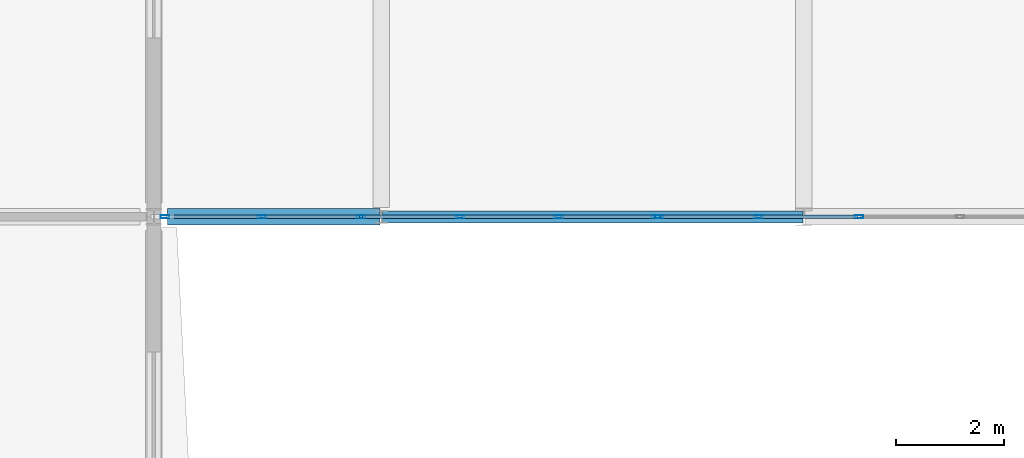
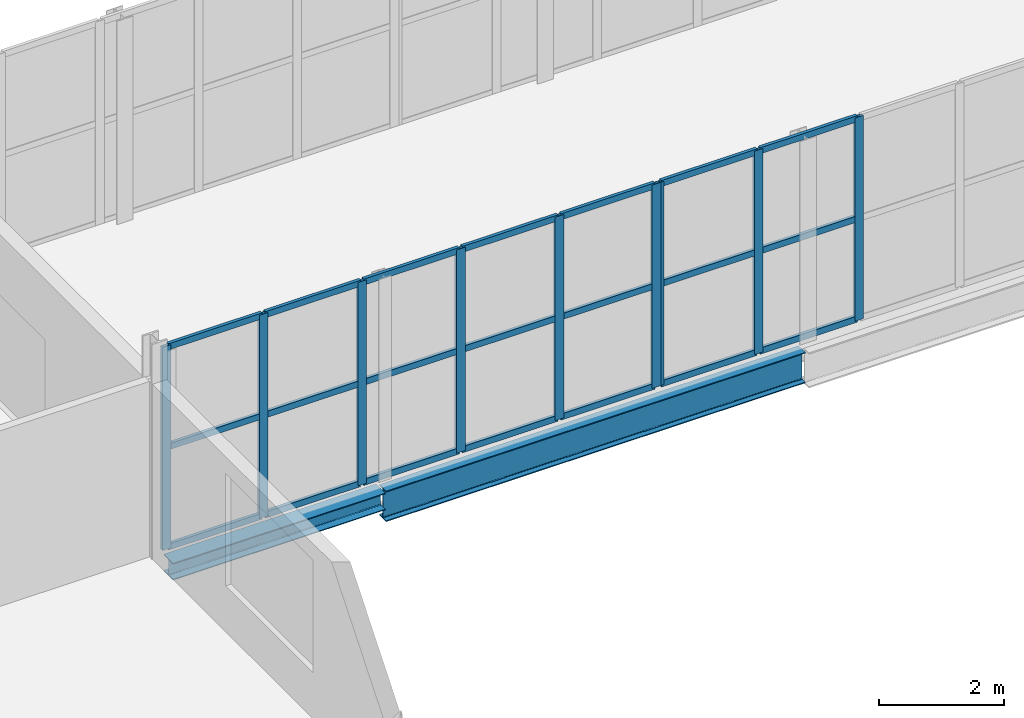
# One storey, part 50 of 138: 30 members, 2 beams, 2 elements without a shape of their own.
"""IFC4 building model written with IfcOpenShell, lengths in metres."""

from ifc_helpers import new_model, si_unit, direction, frame, origin, origin_2d, place, context, subcontext, project, spatial, hollow_rectangle, i_section, extrude, material, layer, layer_set, material_profile, profile_set, type_object, element, aggregate, save


model = new_model("IFC4")

# Units and contexts
model_context = context("Model", 3, precision=1e-05, world=origin(), true_north=direction((0.0, 1.0)))
body_context = subcontext(model_context, "Body", "Model", "MODEL_VIEW")
ifc_project = project(units=[si_unit("LENGTHUNIT", "METRE"), si_unit("AREAUNIT", "SQUARE_METRE"), si_unit("VOLUMEUNIT", "CUBIC_METRE"), si_unit("PLANEANGLEUNIT", "RADIAN"), si_unit("MASSUNIT", "GRAM", prefix="KILO")], contexts=[model_context])

# Site, building, storey
site_placement = place(None, origin())
site = spatial("IfcSite", under=ifc_project, at=site_placement, CompositionType="ELEMENT")
building_placement = place(site_placement, origin())
building = spatial("IfcBuilding", under=site, at=building_placement, Name="Vinh Khe Railworks Police Headquarters", CompositionType="ELEMENT")
storey_placement = place(building_placement, frame((0.0, 0.0, 9.0)))
storey = spatial("IfcBuildingStorey", under=building, at=storey_placement, Name="L02", CompositionType="ELEMENT", Elevation=9.0)

# Curtain wall, members
ifc_material_1 = material(Name="Anodised aluminium and solar-control glass", Category="aluminium")
ifc_layer = layer(ifc_material_1, 0.159912109375)
ifc_layer_set = layer_set([ifc_layer], Name="Anodised aluminium and solar-control glass")
curtain_wall_type = type_object("IfcCurtainWallType", Name="CW-SHOPFRONT", PredefinedType="USERDEFINED", material=ifc_layer_set)
curtain_wall_1_placement = place(storey_placement, origin())
curtain_wall_1 = element("IfcCurtainWall", 1, at=curtain_wall_1_placement, inside=storey, type_object=curtain_wall_type, Name="Link Bridge South Glazing L02 Bay 1", ObjectType="UNITISED GLAZING", PredefinedType="USERDEFINED")
ifc_material_2 = material(Name="Anodised aluminium 6063-T6", Category="aluminium")
ifc_material_profile_1 = material_profile(ifc_material_2, hollow_rectangle(XDim=0.06005859375, YDim=0.159912109375, WallThickness=0.00390625, at=origin_2d()), Name="CW-M 60x160x4")
ifc_profile_set_1 = profile_set([ifc_material_profile_1], Name="Anodised aluminium 6063-T6")
member_type_1 = type_object("IfcMemberType", Name="MULL-CWM-01", PredefinedType="MULLION", material=ifc_profile_set_1)
member_1_placement = place(storey_placement, frame((22.405029296875, 96.0, 0.0), z_axis=(0.0, 0.0, 1.0), x_axis=(0.0, 1.0, 0.0)))
member_1 = element("IfcMember", 2, at=member_1_placement, type_object=member_type_1, Name="CW-03 mullion 1", PredefinedType="MULLION", context=body_context, shape_type="SweptSolid", body=[
    extrude(hollow_rectangle(XDim=0.06005859375, YDim=0.159912109375, WallThickness=0.00390625, at=origin_2d()), origin(), (0.0, 0.0, 1.0), 3.97998046875),
])
member_2_placement = place(storey_placement, frame((24.199951171875, 96.0, 0.0), z_axis=(0.0, 0.0, 1.0), x_axis=(0.0, 1.0, 0.0)))
member_2 = element("IfcMember", 3, at=member_2_placement, type_object=member_type_1, Name="CW-03 mullion 2", PredefinedType="MULLION", context=body_context, shape_type="SweptSolid", body=[
    extrude(hollow_rectangle(XDim=0.06005859375, YDim=0.159912109375, WallThickness=0.00390625, at=origin_2d()), origin(), (0.0, 0.0, 1.0), 3.97998046875),
])
member_3_placement = place(storey_placement, frame((26.02490234375, 96.0, 0.0), z_axis=(0.0, 0.0, 1.0), x_axis=(0.0, 1.0, 0.0)))
member_3 = element("IfcMember", 4, at=member_3_placement, type_object=member_type_1, Name="CW-03 mullion 3", PredefinedType="MULLION", context=body_context, shape_type="SweptSolid", body=[
    extrude(hollow_rectangle(XDim=0.06005859375, YDim=0.159912109375, WallThickness=0.00390625, at=origin_2d()), origin(), (0.0, 0.0, 1.0), 3.97998046875),
])
member_4_placement = place(storey_placement, frame((27.85009765625, 96.0, 0.0), z_axis=(0.0, 0.0, 1.0), x_axis=(0.0, 1.0, 0.0)))
member_4 = element("IfcMember", 5, at=member_4_placement, type_object=member_type_1, Name="CW-03 mullion 4", PredefinedType="MULLION", context=body_context, shape_type="SweptSolid", body=[
    extrude(hollow_rectangle(XDim=0.06005859375, YDim=0.159912109375, WallThickness=0.00390625, at=origin_2d()), origin(), (0.0, 0.0, 1.0), 3.97998046875),
])
member_5_placement = place(storey_placement, frame((29.675048828125, 96.0, 0.0), z_axis=(0.0, 0.0, 1.0), x_axis=(0.0, 1.0, 0.0)))
member_5 = element("IfcMember", 6, at=member_5_placement, type_object=member_type_1, Name="CW-03 mullion 5", PredefinedType="MULLION", context=body_context, shape_type="SweptSolid", body=[
    extrude(hollow_rectangle(XDim=0.06005859375, YDim=0.159912109375, WallThickness=0.00390625, at=origin_2d()), origin(), (0.0, 0.0, 1.0), 3.97998046875),
])
member_6_placement = place(storey_placement, frame((31.469970703125, 96.0, 0.0), z_axis=(0.0, 0.0, 1.0), x_axis=(0.0, 1.0, 0.0)))
member_6 = element("IfcMember", 7, at=member_6_placement, type_object=member_type_1, Name="CW-03 mullion 6", PredefinedType="MULLION", context=body_context, shape_type="SweptSolid", body=[
    extrude(hollow_rectangle(XDim=0.06005859375, YDim=0.159912109375, WallThickness=0.00390625, at=origin_2d()), origin(), (0.0, 0.0, 1.0), 3.97998046875),
])

curtain_wall_2_placement = place(storey_placement, origin())
curtain_wall_2 = element("IfcCurtainWall", 8, at=curtain_wall_2_placement, inside=storey, type_object=curtain_wall_type, Name="Link Bridge South Glazing L02 Bay 2", ObjectType="UNITISED GLAZING", PredefinedType="USERDEFINED")
member_7_placement = place(storey_placement, frame((31.530029296875, 96.0, 0.0), z_axis=(0.0, 0.0, 1.0), x_axis=(0.0, 1.0, 0.0)))
member_7 = element("IfcMember", 9, at=member_7_placement, type_object=member_type_1, Name="CW-03 mullion 1", PredefinedType="MULLION", context=body_context, shape_type="SweptSolid", body=[
    extrude(hollow_rectangle(XDim=0.06005859375, YDim=0.159912109375, WallThickness=0.00390625, at=origin_2d()), origin(), (0.0, 0.0, 1.0), 3.97998046875),
])
member_8_placement = place(storey_placement, frame((33.360107421875, 96.0, 0.0), z_axis=(0.0, 0.0, 1.0), x_axis=(0.0, 1.0, 0.0)))
member_8 = element("IfcMember", 10, at=member_8_placement, type_object=member_type_1, Name="CW-03 mullion 2", PredefinedType="MULLION", context=body_context, shape_type="SweptSolid", body=[
    extrude(hollow_rectangle(XDim=0.06005859375, YDim=0.159912109375, WallThickness=0.00390625, at=origin_2d()), origin(), (0.0, 0.0, 1.0), 3.97998046875),
])
member_9_placement = place(storey_placement, frame((35.219970703125, 96.0, 0.0), z_axis=(0.0, 0.0, 1.0), x_axis=(0.0, 1.0, 0.0)))
member_9 = element("IfcMember", 11, at=member_9_placement, type_object=member_type_1, Name="CW-03 mullion 3", PredefinedType="MULLION", context=body_context, shape_type="SweptSolid", body=[
    extrude(hollow_rectangle(XDim=0.06005859375, YDim=0.159912109375, WallThickness=0.00390625, at=origin_2d()), origin(), (0.0, 0.0, 1.0), 3.97998046875),
])

# Beams
ifc_material_3 = material(Name="Steel S355JR", Category="steel")
ifc_material_profile_2 = material_profile(ifc_material_3, i_section(OverallWidth=0.300048828125, OverallDepth=0.330078125, WebThickness=0.009521484375, FlangeThickness=0.0166015625, FilletRadius=0.027099609375, at=origin_2d()), Name="HEA 340")
ifc_profile_set_2 = profile_set([ifc_material_profile_2], Name="Steel S355JR")
beam_type_1 = type_object("IfcBeamType", Name="Steel Girder HEA 340", PredefinedType="BEAM", material=ifc_profile_set_2)
beam_1_placement = place(storey_placement, frame((22.455078125, 96.0, -0.385009765625), z_axis=(1.0, 0.0, 0.0), x_axis=(0.0, 1.0, 0.0)))
element("IfcBeam", 12, at=beam_1_placement, inside=storey, type_object=beam_type_1, Name="Girder BM-L02-EW-SB-16-0806", PredefinedType="BEAM", context=body_context, shape_type="SweptSolid", body=[
    extrude(i_section(OverallWidth=0.300048828125, OverallDepth=0.330078125, WebThickness=0.009521484375, FlangeThickness=0.0166015625, FilletRadius=0.027099609375, at=origin_2d()), origin(), (0.0, 0.0, 1.0), 3.9248046875),
])
ifc_material_profile_3 = material_profile(ifc_material_3, i_section(OverallWidth=0.219970703125, OverallDepth=0.60009765625, WebThickness=0.011962890625, FlangeThickness=0.01904296875, FilletRadius=0.02392578125, at=origin_2d()), Name="IPE 600")
ifc_profile_set_3 = profile_set([ifc_material_profile_3], Name="Steel S355JR")
beam_type_2 = type_object("IfcBeamType", Name="Steel Girder IPE 600", PredefinedType="BEAM", material=ifc_profile_set_3)
beam_2_placement = place(storey_placement, frame((26.419921875, 96.0, -0.52001953125), z_axis=(1.0, 0.0, 0.0), x_axis=(0.0, 1.0, 0.0)))
element("IfcBeam", 13, at=beam_2_placement, inside=storey, type_object=beam_type_2, Name="Girder BM-L02-EW-SB-17-0807", PredefinedType="BEAM", context=body_context, shape_type="SweptSolid", body=[
    extrude(i_section(OverallWidth=0.219970703125, OverallDepth=0.60009765625, WebThickness=0.011962890625, FlangeThickness=0.01904296875, FilletRadius=0.02392578125, at=origin_2d()), origin(), (0.0, 0.0, 1.0), 7.760009765625),
])

# Member
ifc_material_profile_4 = material_profile(ifc_material_2, hollow_rectangle(XDim=0.06005859375, YDim=0.1201171875, WallThickness=0.00390625, at=origin_2d()), Name="CW-T 60x120x4")
ifc_profile_set_4 = profile_set([ifc_material_profile_4], Name="Anodised aluminium 6063-T6")
member_type_2 = type_object("IfcMemberType", Name="TRAN-CWT-01", PredefinedType="USERDEFINED", material=ifc_profile_set_4)
member_10_placement = place(storey_placement, frame((22.43505859375, 96.0, 0.030029296875), z_axis=(1.0, 0.0, 0.0), x_axis=(0.0, 1.0, 0.0)))
member_10 = element("IfcMember", 14, at=member_10_placement, type_object=member_type_2, Name="CW-03 transom 1.1", ObjectType="TRANSOM", PredefinedType="USERDEFINED", context=body_context, shape_type="SweptSolid", body=[
    extrude(hollow_rectangle(XDim=0.06005859375, YDim=0.1201171875, WallThickness=0.00390625, at=origin_2d()), origin(), (0.0, 0.0, 1.0), 1.73486328125),
])

member_11_placement = place(storey_placement, frame((22.43505859375, 96.0, 1.989990234375), z_axis=(1.0, 0.0, 0.0), x_axis=(0.0, 1.0, 0.0)))
member_11 = element("IfcMember", 15, at=member_11_placement, type_object=member_type_2, Name="CW-03 transom 1.2", ObjectType="TRANSOM", PredefinedType="USERDEFINED", context=body_context, shape_type="SweptSolid", body=[
    extrude(hollow_rectangle(XDim=0.06005859375, YDim=0.1201171875, WallThickness=0.00390625, at=origin_2d()), origin(), (0.0, 0.0, 1.0), 1.73486328125),
])

member_12_placement = place(storey_placement, frame((22.43505859375, 96.0, 3.949951171875), z_axis=(1.0, 0.0, 0.0), x_axis=(0.0, 1.0, 0.0)))
member_12 = element("IfcMember", 16, at=member_12_placement, type_object=member_type_2, Name="CW-03 transom 1.3", ObjectType="TRANSOM", PredefinedType="USERDEFINED", context=body_context, shape_type="SweptSolid", body=[
    extrude(hollow_rectangle(XDim=0.06005859375, YDim=0.1201171875, WallThickness=0.00390625, at=origin_2d()), origin(), (0.0, 0.0, 1.0), 1.73486328125),
])

member_13_placement = place(storey_placement, frame((24.22998046875, 96.0, 0.030029296875), z_axis=(1.0, 0.0, 0.0), x_axis=(0.0, 1.0, 0.0)))
member_13 = element("IfcMember", 17, at=member_13_placement, type_object=member_type_2, Name="CW-03 transom 2.1", ObjectType="TRANSOM", PredefinedType="USERDEFINED", context=body_context, shape_type="SweptSolid", body=[
    extrude(hollow_rectangle(XDim=0.06005859375, YDim=0.1201171875, WallThickness=0.00390625, at=origin_2d()), origin(), (0.0, 0.0, 1.0), 1.76513671875),
])

member_14_placement = place(storey_placement, frame((24.22998046875, 96.0, 1.989990234375), z_axis=(1.0, 0.0, 0.0), x_axis=(0.0, 1.0, 0.0)))
member_14 = element("IfcMember", 18, at=member_14_placement, type_object=member_type_2, Name="CW-03 transom 2.2", ObjectType="TRANSOM", PredefinedType="USERDEFINED", context=body_context, shape_type="SweptSolid", body=[
    extrude(hollow_rectangle(XDim=0.06005859375, YDim=0.1201171875, WallThickness=0.00390625, at=origin_2d()), origin(), (0.0, 0.0, 1.0), 1.76513671875),
])

member_15_placement = place(storey_placement, frame((24.22998046875, 96.0, 3.949951171875), z_axis=(1.0, 0.0, 0.0), x_axis=(0.0, 1.0, 0.0)))
member_15 = element("IfcMember", 19, at=member_15_placement, type_object=member_type_2, Name="CW-03 transom 2.3", ObjectType="TRANSOM", PredefinedType="USERDEFINED", context=body_context, shape_type="SweptSolid", body=[
    extrude(hollow_rectangle(XDim=0.06005859375, YDim=0.1201171875, WallThickness=0.00390625, at=origin_2d()), origin(), (0.0, 0.0, 1.0), 1.76513671875),
])

member_16_placement = place(storey_placement, frame((26.054931640625, 96.0, 0.030029296875), z_axis=(1.0, 0.0, 0.0), x_axis=(0.0, 1.0, 0.0)))
member_16 = element("IfcMember", 20, at=member_16_placement, type_object=member_type_2, Name="CW-03 transom 3.1", ObjectType="TRANSOM", PredefinedType="USERDEFINED", context=body_context, shape_type="SweptSolid", body=[
    extrude(hollow_rectangle(XDim=0.06005859375, YDim=0.1201171875, WallThickness=0.00390625, at=origin_2d()), origin(), (0.0, 0.0, 1.0), 1.76513671875),
])

member_17_placement = place(storey_placement, frame((26.054931640625, 96.0, 1.989990234375), z_axis=(1.0, 0.0, 0.0), x_axis=(0.0, 1.0, 0.0)))
member_17 = element("IfcMember", 21, at=member_17_placement, type_object=member_type_2, Name="CW-03 transom 3.2", ObjectType="TRANSOM", PredefinedType="USERDEFINED", context=body_context, shape_type="SweptSolid", body=[
    extrude(hollow_rectangle(XDim=0.06005859375, YDim=0.1201171875, WallThickness=0.00390625, at=origin_2d()), origin(), (0.0, 0.0, 1.0), 1.76513671875),
])

member_18_placement = place(storey_placement, frame((26.054931640625, 96.0, 3.949951171875), z_axis=(1.0, 0.0, 0.0), x_axis=(0.0, 1.0, 0.0)))
member_18 = element("IfcMember", 22, at=member_18_placement, type_object=member_type_2, Name="CW-03 transom 3.3", ObjectType="TRANSOM", PredefinedType="USERDEFINED", context=body_context, shape_type="SweptSolid", body=[
    extrude(hollow_rectangle(XDim=0.06005859375, YDim=0.1201171875, WallThickness=0.00390625, at=origin_2d()), origin(), (0.0, 0.0, 1.0), 1.76513671875),
])

member_19_placement = place(storey_placement, frame((27.8798828125, 96.0, 0.030029296875), z_axis=(1.0, 0.0, 0.0), x_axis=(0.0, 1.0, 0.0)))
member_19 = element("IfcMember", 23, at=member_19_placement, type_object=member_type_2, Name="CW-03 transom 4.1", ObjectType="TRANSOM", PredefinedType="USERDEFINED", context=body_context, shape_type="SweptSolid", body=[
    extrude(hollow_rectangle(XDim=0.06005859375, YDim=0.1201171875, WallThickness=0.00390625, at=origin_2d()), origin(), (0.0, 0.0, 1.0), 1.76513671875),
])

member_20_placement = place(storey_placement, frame((27.8798828125, 96.0, 1.989990234375), z_axis=(1.0, 0.0, 0.0), x_axis=(0.0, 1.0, 0.0)))
member_20 = element("IfcMember", 24, at=member_20_placement, type_object=member_type_2, Name="CW-03 transom 4.2", ObjectType="TRANSOM", PredefinedType="USERDEFINED", context=body_context, shape_type="SweptSolid", body=[
    extrude(hollow_rectangle(XDim=0.06005859375, YDim=0.1201171875, WallThickness=0.00390625, at=origin_2d()), origin(), (0.0, 0.0, 1.0), 1.76513671875),
])

member_21_placement = place(storey_placement, frame((27.8798828125, 96.0, 3.949951171875), z_axis=(1.0, 0.0, 0.0), x_axis=(0.0, 1.0, 0.0)))
member_21 = element("IfcMember", 25, at=member_21_placement, type_object=member_type_2, Name="CW-03 transom 4.3", ObjectType="TRANSOM", PredefinedType="USERDEFINED", context=body_context, shape_type="SweptSolid", body=[
    extrude(hollow_rectangle(XDim=0.06005859375, YDim=0.1201171875, WallThickness=0.00390625, at=origin_2d()), origin(), (0.0, 0.0, 1.0), 1.76513671875),
])

member_22_placement = place(storey_placement, frame((29.705078125, 96.0, 0.030029296875), z_axis=(1.0, 0.0, 0.0), x_axis=(0.0, 1.0, 0.0)))
member_22 = element("IfcMember", 26, at=member_22_placement, type_object=member_type_2, Name="CW-03 transom 5.1", ObjectType="TRANSOM", PredefinedType="USERDEFINED", context=body_context, shape_type="SweptSolid", body=[
    extrude(hollow_rectangle(XDim=0.06005859375, YDim=0.1201171875, WallThickness=0.00390625, at=origin_2d()), origin(), (0.0, 0.0, 1.0), 1.73486328125),
])

member_23_placement = place(storey_placement, frame((29.705078125, 96.0, 1.989990234375), z_axis=(1.0, 0.0, 0.0), x_axis=(0.0, 1.0, 0.0)))
member_23 = element("IfcMember", 27, at=member_23_placement, type_object=member_type_2, Name="CW-03 transom 5.2", ObjectType="TRANSOM", PredefinedType="USERDEFINED", context=body_context, shape_type="SweptSolid", body=[
    extrude(hollow_rectangle(XDim=0.06005859375, YDim=0.1201171875, WallThickness=0.00390625, at=origin_2d()), origin(), (0.0, 0.0, 1.0), 1.73486328125),
])

member_24_placement = place(storey_placement, frame((29.705078125, 96.0, 3.949951171875), z_axis=(1.0, 0.0, 0.0), x_axis=(0.0, 1.0, 0.0)))
member_24 = element("IfcMember", 28, at=member_24_placement, type_object=member_type_2, Name="CW-03 transom 5.3", ObjectType="TRANSOM", PredefinedType="USERDEFINED", context=body_context, shape_type="SweptSolid", body=[
    extrude(hollow_rectangle(XDim=0.06005859375, YDim=0.1201171875, WallThickness=0.00390625, at=origin_2d()), origin(), (0.0, 0.0, 1.0), 1.73486328125),
])

aggregate(curtain_wall_1, [member_1, member_2, member_3, member_4, member_5, member_6, member_10, member_11, member_12, member_13, member_14, member_15, member_16, member_17, member_18, member_19, member_20, member_21, member_22, member_23, member_24])

member_25_placement = place(storey_placement, frame((31.56005859375, 96.0, 0.030029296875), z_axis=(1.0, 0.0, 0.0), x_axis=(0.0, 1.0, 0.0)))
member_25 = element("IfcMember", 29, at=member_25_placement, type_object=member_type_2, Name="CW-03 transom 1.1", ObjectType="TRANSOM", PredefinedType="USERDEFINED", context=body_context, shape_type="SweptSolid", body=[
    extrude(hollow_rectangle(XDim=0.06005859375, YDim=0.1201171875, WallThickness=0.00390625, at=origin_2d()), origin(), (0.0, 0.0, 1.0), 1.77001953125),
])

member_26_placement = place(storey_placement, frame((31.56005859375, 96.0, 1.989990234375), z_axis=(1.0, 0.0, 0.0), x_axis=(0.0, 1.0, 0.0)))
member_26 = element("IfcMember", 30, at=member_26_placement, type_object=member_type_2, Name="CW-03 transom 1.2", ObjectType="TRANSOM", PredefinedType="USERDEFINED", context=body_context, shape_type="SweptSolid", body=[
    extrude(hollow_rectangle(XDim=0.06005859375, YDim=0.1201171875, WallThickness=0.00390625, at=origin_2d()), origin(), (0.0, 0.0, 1.0), 1.77001953125),
])

member_27_placement = place(storey_placement, frame((31.56005859375, 96.0, 3.949951171875), z_axis=(1.0, 0.0, 0.0), x_axis=(0.0, 1.0, 0.0)))
member_27 = element("IfcMember", 31, at=member_27_placement, type_object=member_type_2, Name="CW-03 transom 1.3", ObjectType="TRANSOM", PredefinedType="USERDEFINED", context=body_context, shape_type="SweptSolid", body=[
    extrude(hollow_rectangle(XDim=0.06005859375, YDim=0.1201171875, WallThickness=0.00390625, at=origin_2d()), origin(), (0.0, 0.0, 1.0), 1.77001953125),
])

member_28_placement = place(storey_placement, frame((33.389892578125, 96.0, 0.030029296875), z_axis=(1.0, 0.0, 0.0), x_axis=(0.0, 1.0, 0.0)))
member_28 = element("IfcMember", 32, at=member_28_placement, type_object=member_type_2, Name="CW-03 transom 2.1", ObjectType="TRANSOM", PredefinedType="USERDEFINED", context=body_context, shape_type="SweptSolid", body=[
    extrude(hollow_rectangle(XDim=0.06005859375, YDim=0.1201171875, WallThickness=0.00390625, at=origin_2d()), origin(), (0.0, 0.0, 1.0), 1.800048828125),
])

member_29_placement = place(storey_placement, frame((33.389892578125, 96.0, 1.989990234375), z_axis=(1.0, 0.0, 0.0), x_axis=(0.0, 1.0, 0.0)))
member_29 = element("IfcMember", 33, at=member_29_placement, type_object=member_type_2, Name="CW-03 transom 2.2", ObjectType="TRANSOM", PredefinedType="USERDEFINED", context=body_context, shape_type="SweptSolid", body=[
    extrude(hollow_rectangle(XDim=0.06005859375, YDim=0.1201171875, WallThickness=0.00390625, at=origin_2d()), origin(), (0.0, 0.0, 1.0), 1.800048828125),
])

member_30_placement = place(storey_placement, frame((33.389892578125, 96.0, 3.949951171875), z_axis=(1.0, 0.0, 0.0), x_axis=(0.0, 1.0, 0.0)))
member_30 = element("IfcMember", 34, at=member_30_placement, type_object=member_type_2, Name="CW-03 transom 2.3", ObjectType="TRANSOM", PredefinedType="USERDEFINED", context=body_context, shape_type="SweptSolid", body=[
    extrude(hollow_rectangle(XDim=0.06005859375, YDim=0.1201171875, WallThickness=0.00390625, at=origin_2d()), origin(), (0.0, 0.0, 1.0), 1.800048828125),
])

aggregate(curtain_wall_2, [member_7, member_8, member_9, member_25, member_26, member_27, member_28, member_29, member_30])

save(model, "model.ifc")
